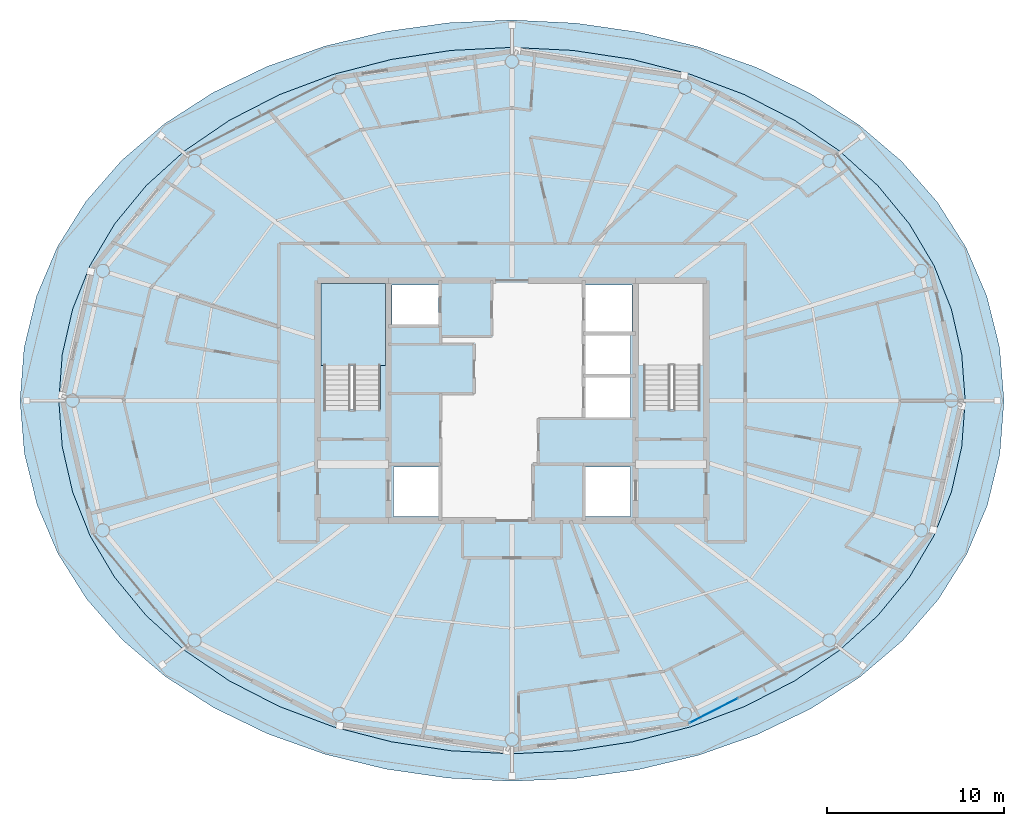
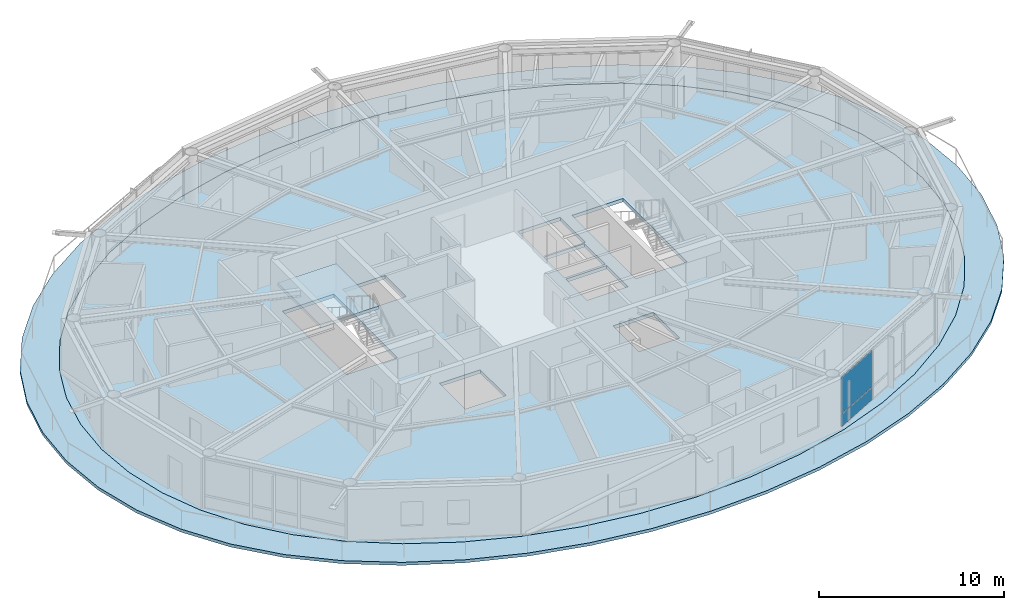
# One storey, part 13 of 23: 3 slabs, 2 plates, 2 elements without a shape of their own.
"""IFC4 building model written with IfcOpenShell, lengths in metres."""

from ifc_helpers import new_model, si_unit, direction, frame, origin, origin_2d, place, context, subcontext, project, spatial, polyline, rectangle, outline, extrude, material, layer, layer_set, type_object, element, aggregate, save


model = new_model("IFC4")

# Units and contexts
model_context = context("Model", 3, precision=1e-05, world=origin(), true_north=direction((0.0, 1.0)))
body_context = subcontext(model_context, "Body", "Model", "MODEL_VIEW")
ifc_project = project(units=[si_unit("LENGTHUNIT", "METRE"), si_unit("AREAUNIT", "SQUARE_METRE"), si_unit("VOLUMEUNIT", "CUBIC_METRE"), si_unit("PLANEANGLEUNIT", "RADIAN"), si_unit("MASSUNIT", "GRAM", prefix="KILO")], contexts=[model_context])

# Site, building, storey
site_placement = place(None, origin())
site = spatial("IfcSite", under=ifc_project, at=site_placement, CompositionType="ELEMENT")
building_placement = place(site_placement, origin())
building = spatial("IfcBuilding", under=site, at=building_placement, Name="Sarneth Arch Tower", CompositionType="ELEMENT")
storey_placement = place(building_placement, frame((0.0, 0.0, 265.800048828125)))
storey = spatial("IfcBuildingStorey", under=building, at=storey_placement, Name="L68", CompositionType="ELEMENT", Elevation=265.800048828125)

# Curtain wall, plates
ifc_material_1 = material(Name="Anodised aluminium Type AA25 and solar-control low-e laminated IGU", Category="aluminium")
ifc_layer_1 = layer(ifc_material_1, 0.179931640625)
ifc_layer_set_1 = layer_set([ifc_layer_1], Name="Anodised aluminium Type AA25 and solar-control low-e laminated IGU")
curtain_wall_type = type_object("IfcCurtainWallType", Name="CW-RES-HIGH", PredefinedType="NOTDEFINED", material=ifc_layer_set_1)
curtain_wall_placement = place(storey_placement, origin())
curtain_wall = element("IfcCurtainWall", 1, at=curtain_wall_placement, inside=storey, type_object=curtain_wall_type, Name="L68 Unitised curtain wall facet 14", PredefinedType="NOTDEFINED")
ifc_material_2 = material(Name="Solar-control low-e laminated IGU", Category="glass")
ifc_layer_2 = layer(ifc_material_2, 0.028076171875)
ifc_layer_set_2 = layer_set([ifc_layer_2], Name="Solar-control low-e laminated IGU")
plate_type = type_object("IfcPlateType", Name="CW-PANEL", PredefinedType="CURTAIN_PANEL", material=ifc_layer_set_2)
plate_1_placement = place(storey_placement, frame((59.4208984375, 24.447021484375, 0.059814453125), z_axis=(0.0, 0.0, 1.0), x_axis=(0.890009540525, 0.455941901753, 0.0)))
plate_1 = element("IfcPlate", 2, at=plate_1_placement, type_object=plate_type, Name="Curtain wall glazed vision pane CW-L68-F14/P00-00", PredefinedType="CURTAIN_PANEL", context=body_context, shape_type="SweptSolid", body=[
    extrude(rectangle(XDim=3.044677734375, YDim=0.028076171875, at=origin_2d()), origin(), (0.0, 0.0, 1.0), 0.81005859375),
])
plate_2_placement = place(storey_placement, frame((59.4208984375, 24.447021484375, 0.929931640625), z_axis=(0.0, 0.0, 1.0), x_axis=(0.890009540525, 0.455941901753, 0.0)))
plate_2 = element("IfcPlate", 3, at=plate_2_placement, type_object=plate_type, Name="Curtain wall glazed vision pane CW-L68-F14/P00-01", PredefinedType="CURTAIN_PANEL", context=body_context, shape_type="SweptSolid", body=[
    extrude(rectangle(XDim=3.044677734375, YDim=0.028076171875, at=origin_2d()), origin(), (0.0, 0.0, 1.0), 2.3798828125),
])
aggregate(curtain_wall, [plate_1, plate_2])

# Slab
ifc_material_3 = material(Name="Concrete C50/60", Category="concrete")
ifc_layer_3 = layer(ifc_material_3, 0.199951171875)
ifc_layer_set_3 = layer_set([ifc_layer_3], Name="Concrete C50/60")
slab_type_1 = type_object("IfcSlabType", Name="SLAB-BALC-200", PredefinedType="FLOOR", material=ifc_layer_set_3)
slab_1_placement = place(storey_placement, frame((0.0, 0.0, -0.199951171875)))
element("IfcSlab", 4, at=slab_1_placement, inside=storey, type_object=slab_type_1, Name="L68 Helical balcony band slab", PredefinedType="FLOOR", context=body_context, shape_type="SweptSolid", body=[
    extrude(outline(polyline([(75.859130859375, 42.0), (75.610595703125, 44.99365234375), (74.888916015625, 47.905029296875), (73.708740234375, 50.667236328125), (72.090087890625, 53.228759765625), (70.0576171875, 55.55322265625), (67.643798828125, 57.61328125), (64.890625, 59.388916015625), (61.850830078125, 60.86376953125), (58.582275390625, 62.025634765625), (55.145751953125, 62.864990234375), (51.60009765625, 63.375244140625), (48.0, 63.5517578125), (44.398193359375, 63.392822265625), (40.847412109375, 62.8984375), (37.4033203125, 62.071533203125), (34.125732421875, 60.917724609375), (31.076416015625, 59.445556640625), (28.3154296875, 57.667724609375), (25.896484375, 55.60009765625), (23.863525390625, 53.264892578125), (22.249267578125, 50.690673828125), (21.079345703125, 47.91650390625), (20.3720703125, 44.99658203125), (20.140869140625, 42.0), (20.389404296875, 39.00634765625), (21.111083984375, 36.094970703125), (22.291259765625, 33.332763671875), (23.909912109375, 30.771240234375), (25.9423828125, 28.44677734375), (28.356201171875, 26.38671875), (31.109375, 24.611083984375), (34.149169921875, 23.13623046875), (37.417724609375, 21.974365234375), (40.854248046875, 21.135009765625), (44.39990234375, 20.624755859375), (48.0, 20.4482421875), (51.601806640625, 20.607177734375), (55.152587890625, 21.1015625), (58.5966796875, 21.928466796875), (61.874267578125, 23.082275390625), (64.923583984375, 24.554443359375), (67.6845703125, 26.332275390625), (70.103515625, 28.39990234375), (72.136474609375, 30.735107421875), (73.750732421875, 33.309326171875), (74.920654296875, 36.08349609375), (75.6279296875, 39.00341796875), (75.859130859375, 42.0)]), holes=[polyline([(73.660888671875, 42.0), (73.466064453125, 44.610595703125), (72.87890625, 47.17626953125), (71.892822265625, 49.653564453125), (70.5029296875, 52.0), (68.712158203125, 54.17529296875), (66.536865234375, 56.14208984375), (64.009521484375, 57.8671875), (61.177001953125, 59.320556640625), (58.0966796875, 60.4775390625), (54.83203125, 61.318603515625), (51.44580078125, 61.828857421875), (48.0, 62.0), (44.55419921875, 61.828857421875), (41.16796875, 61.318603515625), (37.9033203125, 60.4775390625), (34.822998046875, 59.320556640625), (31.990478515625, 57.8671875), (29.463134765625, 56.14208984375), (27.287841796875, 54.17529296875), (25.4970703125, 52.0), (24.107177734375, 49.653564453125), (23.12109375, 47.17626953125), (22.533935546875, 44.610595703125), (22.339111328125, 42.0), (22.533935546875, 39.389404296875), (23.12109375, 36.82373046875), (24.107177734375, 34.346435546875), (25.4970703125, 32.0), (27.287841796875, 29.82470703125), (29.463134765625, 27.85791015625), (31.990478515625, 26.1328125), (34.822998046875, 24.679443359375), (37.9033203125, 23.5224609375), (41.16796875, 22.681396484375), (44.55419921875, 22.171142578125), (48.0, 22.0), (51.44580078125, 22.171142578125), (54.83203125, 22.681396484375), (58.0966796875, 23.5224609375), (61.177001953125, 24.679443359375), (64.009521484375, 26.1328125), (66.536865234375, 27.85791015625), (68.712158203125, 29.82470703125), (70.5029296875, 32.0), (71.892822265625, 34.346435546875), (72.87890625, 36.82373046875), (73.466064453125, 39.389404296875), (73.660888671875, 42.0)])]), origin(), (0.0, 0.0, 1.0), 0.199951171875),
])

# Stair, slab
ifc_material_4 = material(Name="Concrete C50/60", Category="concrete")
stair_type = type_object("IfcStairType", Name="STAIR-CORE-RC", PredefinedType="HALF_TURN_STAIR", material=ifc_material_4)
stair_placement = place(storey_placement, origin())
stair = element("IfcStair", 5, at=stair_placement, inside=storey, type_object=stair_type, Name="L68 Core Exit Stair 1", PredefinedType="HALF_TURN_STAIR")
ifc_material_5 = material(Name="Concrete C50/60", Category="concrete")
ifc_layer_4 = layer(ifc_material_5, 0.199951171875)
ifc_layer_set_4 = layer_set([ifc_layer_4], Name="Concrete C50/60")
slab_type_2 = type_object("IfcSlabType", Name="SLAB-LANDING-200", PredefinedType="LANDING", material=ifc_layer_set_4)
slab_2_placement = place(storey_placement, frame((0.0, 0.0, 1.599853515625)))
slab_2 = element("IfcSlab", 6, at=slab_2_placement, type_object=slab_type_2, Name="ST-1 landing 1", PredefinedType="LANDING", context=body_context, shape_type="SweptSolid", body=[
    extrude(outline(polyline([(37.175048828125, 43.985107421875), (40.824951171875, 43.985107421875), (40.824951171875, 48.625), (37.175048828125, 48.625), (37.175048828125, 43.985107421875)])), origin(), (0.0, 0.0, 1.0), 0.2001953125),
])
aggregate(stair, [slab_2])

# Slab
ifc_material_6 = material(Name="Concrete C50/60", Category="concrete")
ifc_layer_5 = layer(ifc_material_6, 0.22998046875)
ifc_layer_set_5 = layer_set([ifc_layer_5], Name="Concrete C50/60")
slab_type_3 = type_object("IfcSlabType", Name="SLAB-TOWER-230", PredefinedType="FLOOR", material=ifc_layer_set_5)
slab_3_placement = place(storey_placement, frame((0.0, 0.0, -0.22998046875)))
element("IfcSlab", 7, at=slab_3_placement, inside=storey, type_object=slab_type_3, Name="L68 Elliptical floor slab", PredefinedType="FLOOR", context=body_context, shape_type="SweptSolid", body=[
    extrude(outline(polyline([(73.660888671875, 42.0), (73.466064453125, 44.610595703125), (72.87890625, 47.17626953125), (71.892822265625, 49.653564453125), (70.5029296875, 52.0), (68.712158203125, 54.17529296875), (66.536865234375, 56.14208984375), (64.009521484375, 57.8671875), (61.177001953125, 59.320556640625), (58.0966796875, 60.4775390625), (54.83203125, 61.318603515625), (51.44580078125, 61.828857421875), (48.0, 62.0), (44.55419921875, 61.828857421875), (41.16796875, 61.318603515625), (37.9033203125, 60.4775390625), (34.822998046875, 59.320556640625), (31.990478515625, 57.8671875), (29.463134765625, 56.14208984375), (27.287841796875, 54.17529296875), (25.4970703125, 52.0), (24.107177734375, 49.653564453125), (23.12109375, 47.17626953125), (22.533935546875, 44.610595703125), (22.339111328125, 42.0), (22.533935546875, 39.389404296875), (23.12109375, 36.82373046875), (24.107177734375, 34.346435546875), (25.4970703125, 32.0), (27.287841796875, 29.82470703125), (29.463134765625, 27.85791015625), (31.990478515625, 26.1328125), (34.822998046875, 24.679443359375), (37.9033203125, 23.5224609375), (41.16796875, 22.681396484375), (44.55419921875, 22.171142578125), (48.0, 22.0), (51.44580078125, 22.171142578125), (54.83203125, 22.681396484375), (58.0966796875, 23.5224609375), (61.177001953125, 24.679443359375), (64.009521484375, 26.1328125), (66.536865234375, 27.85791015625), (68.712158203125, 29.82470703125), (70.5029296875, 32.0), (71.892822265625, 34.346435546875), (72.87890625, 36.82373046875), (73.466064453125, 39.389404296875), (73.660888671875, 42.0)]), holes=[polyline([(37.35009765625, 41.489990234375), (40.550048828125, 41.489990234375), (40.550048828125, 48.39990234375), (37.35009765625, 48.39990234375), (37.35009765625, 41.489990234375)]), polyline([(55.449951171875, 41.489990234375), (58.64990234375, 41.489990234375), (58.64990234375, 48.39990234375), (55.449951171875, 48.39990234375), (55.449951171875, 41.489990234375)]), polyline([(41.199951171875, 46.25), (43.85009765625, 46.25), (43.85009765625, 48.550048828125), (41.199951171875, 48.550048828125), (41.199951171875, 46.25)]), polyline([(41.300048828125, 35.449951171875), (43.85009765625, 35.449951171875), (43.85009765625, 38.25), (41.300048828125, 38.25), (41.300048828125, 35.449951171875)]), polyline([(52.14990234375, 35.449951171875), (54.699951171875, 35.449951171875), (54.699951171875, 38.25), (52.14990234375, 38.25), (52.14990234375, 35.449951171875)]), polyline([(52.14990234375, 45.85009765625), (54.800048828125, 45.85009765625), (54.800048828125, 48.550048828125), (52.14990234375, 48.550048828125), (52.14990234375, 45.85009765625)]), polyline([(52.14990234375, 41.050048828125), (54.699951171875, 41.050048828125), (54.699951171875, 43.35009765625), (52.14990234375, 43.35009765625), (52.14990234375, 41.050048828125)]), polyline([(52.14990234375, 43.5), (54.699951171875, 43.5), (54.699951171875, 45.75), (52.14990234375, 45.75), (52.14990234375, 43.5)])]), origin(), (0.0, 0.0, 1.0), 0.22998046875),
])

save(model, "model.ifc")
